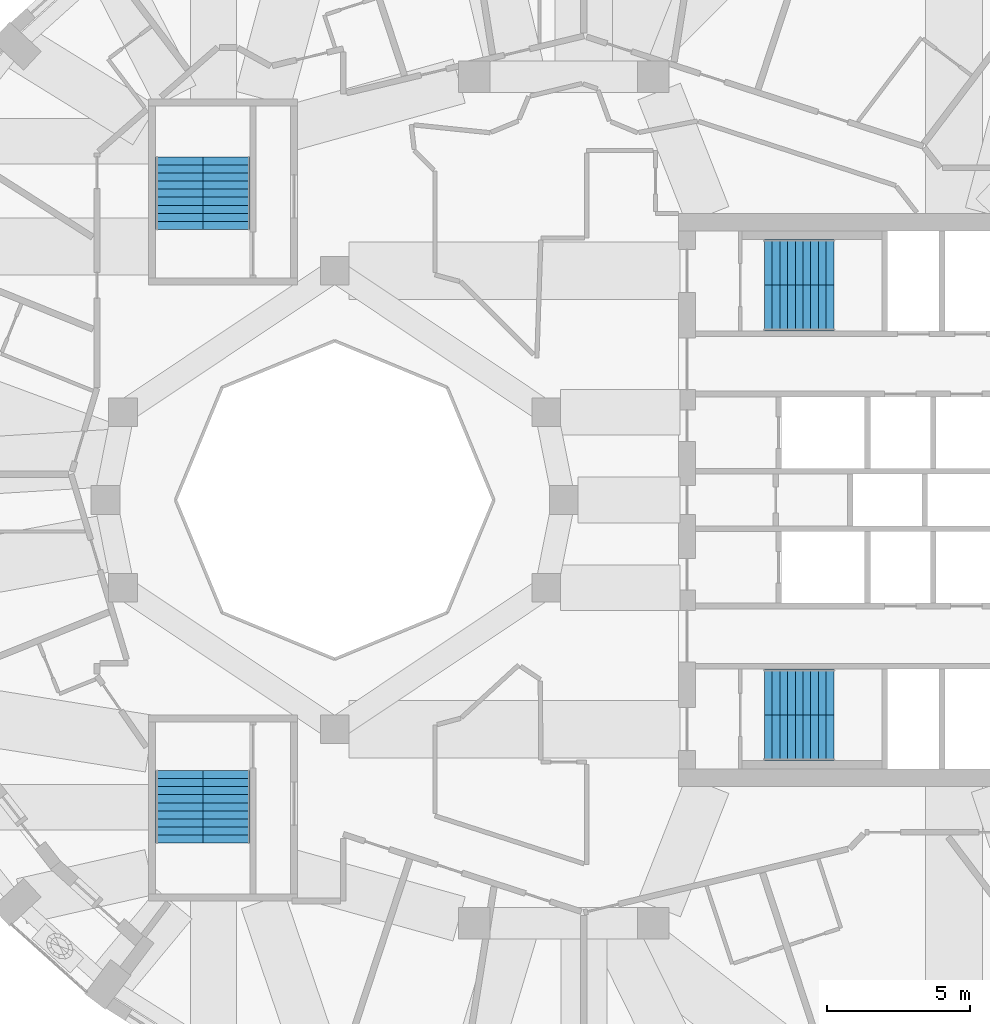
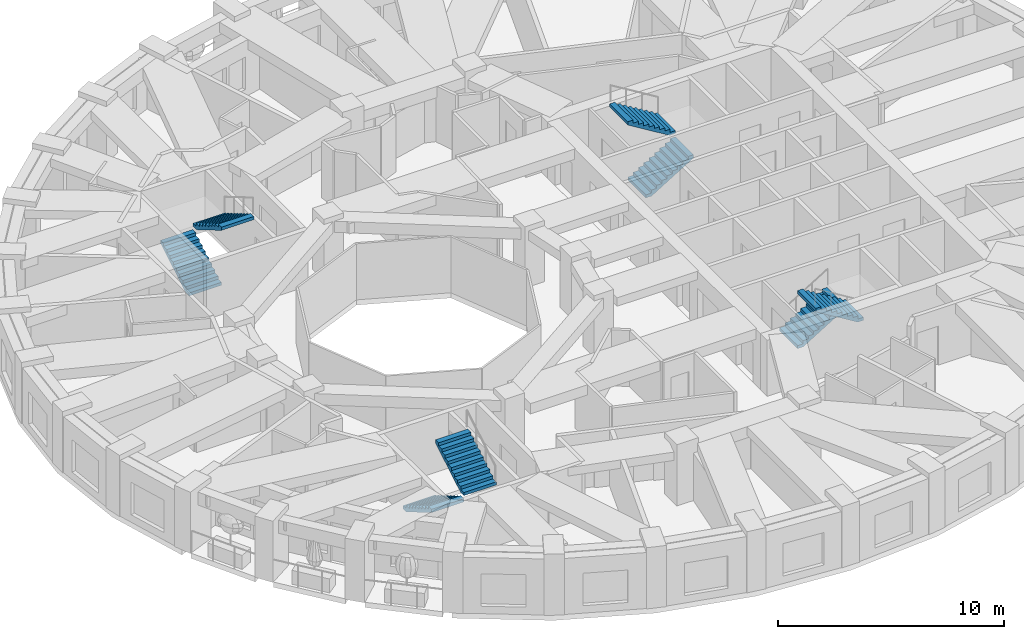
# One storey, part 9 of 12: 8 stair flights, 4 elements without a shape of their own.
"""IFC4 building model written with IfcOpenShell, lengths in metres."""

from ifc_helpers import new_model, si_unit, direction, frame, origin, place, context, subcontext, project, spatial, polyline, outline, extrude, material, type_object, element, aggregate, save


model = new_model("IFC4")

# Units and contexts
model_context = context("Model", 3, precision=1e-05, world=origin(), true_north=direction((0.0, 1.0)))
body_context = subcontext(model_context, "Body", "Model", "MODEL_VIEW")
ifc_project = project(units=[si_unit("LENGTHUNIT", "METRE"), si_unit("AREAUNIT", "SQUARE_METRE"), si_unit("VOLUMEUNIT", "CUBIC_METRE"), si_unit("PLANEANGLEUNIT", "RADIAN"), si_unit("MASSUNIT", "GRAM", prefix="KILO")], contexts=[model_context])

# Site, building, storey
site_placement = place(None, origin())
site = spatial("IfcSite", under=ifc_project, at=site_placement, CompositionType="ELEMENT")
building_placement = place(site_placement, origin())
building = spatial("IfcBuilding", under=site, at=building_placement, Name="Taillehof Tower", CompositionType="ELEMENT")
storey_placement = place(building_placement, frame((0.0, 0.0, 218.89990234375)))
storey = spatial("IfcBuildingStorey", under=building, at=storey_placement, Name="L62", CompositionType="ELEMENT", Elevation=218.89990234375)

# Stair, stair flights
ifc_material_1 = material(Name="Concrete C40/50", Category="concrete")
stair_type = type_object("IfcStairType", Name="Exit stair half-turn", PredefinedType="HALF_TURN_STAIR", material=ifc_material_1)
stair_1_placement = place(storey_placement, origin())
stair_1 = element("IfcStair", 1, at=stair_1_placement, inside=storey, type_object=stair_type, Name="Exit stair S1", PredefinedType="HALF_TURN_STAIR")
ifc_material_2 = material(Name="Concrete C40/50", Category="concrete")
stair_flight_type_1 = type_object("IfcStairFlightType", Name="Stair flight 1600 riser 165.0 going 270", PredefinedType="STRAIGHT", material=ifc_material_2)
stair_flight_1_placement = place(storey_placement, frame((7.0, 6.699951171875, 0.0), z_axis=(0.0, 0.0, 1.0), x_axis=(1.0, 0.0, 0.0)))
stair_flight_1 = element("IfcStairFlight", 2, at=stair_flight_1_placement, type_object=stair_flight_type_1, Name="S1 flight 1", NumberOfRisers=10, NumberOfTreads=9, PredefinedType="STRAIGHT", RiserHeight=0.165, TreadLength=0.27, context=body_context, shape_type="SweptSolid", body=[
    extrude(outline(polyline([(0.0, 0.0), (0.0, 0.00537109375), (0.0, 0.0107421875), (0.0, 0.015869140625), (0.0, 0.021240234375), (0.0, 0.026611328125), (0.0, 0.031982421875), (0.0, 0.037353515625), (0.0, 0.04248046875), (0.0, 0.0478515625), (0.0, 0.05322265625), (0.0, 0.05859375), (0.0, 0.06396484375), (0.0, 0.069091796875), (0.0, 0.074462890625), (0.0, 0.079833984375), (0.0, 0.085205078125), (0.0, 0.090576171875), (0.0, 0.095703125), (0.0, 0.10107421875), (0.0, 0.1064453125), (0.0, 0.11181640625), (0.0, 0.1171875), (0.0, 0.122314453125), (0.0, 0.127685546875), (0.0, 0.133056640625), (0.0, 0.138427734375), (0.0, 0.143798828125), (0.0, 0.14892578125), (0.0, 0.154296875), (0.0, 0.15966796875), (0.0, 0.1650390625), (0.27001953125, 0.1650390625), (0.27001953125, 0.330078125), (0.5400390625, 0.330078125), (0.5400390625, 0.4951171875), (0.81005859375, 0.4951171875), (0.81005859375, 0.659912109375), (1.080078125, 0.659912109375), (1.080078125, 0.824951171875), (1.35009765625, 0.824951171875), (1.35009765625, 0.989990234375), (1.6201171875, 0.989990234375), (1.6201171875, 1.155029296875), (1.889892578125, 1.155029296875), (1.889892578125, 1.320068359375), (2.159912109375, 1.320068359375), (2.159912109375, 1.485107421875), (2.429931640625, 1.485107421875), (2.429931640625, 1.479248046875), (2.429931640625, 1.4736328125), (2.429931640625, 1.468017578125), (2.429931640625, 1.46240234375), (2.429931640625, 1.45654296875), (2.429931640625, 1.450927734375), (2.429931640625, 1.4453125), (2.429931640625, 1.439697265625), (2.429931640625, 1.43408203125), (2.429931640625, 1.42822265625), (2.429931640625, 1.422607421875), (2.429931640625, 1.4169921875), (2.429931640625, 1.411376953125), (2.429931640625, 1.40576171875), (2.429931640625, 1.39990234375), (2.429931640625, 1.394287109375), (2.429931640625, 1.388671875), (2.429931640625, 1.383056640625), (2.429931640625, 1.37744140625), (2.429931640625, 1.37158203125), (2.429931640625, 1.365966796875), (2.429931640625, 1.3603515625), (2.429931640625, 1.354736328125), (2.429931640625, 1.348876953125), (2.429931640625, 1.34326171875), (2.429931640625, 1.337646484375), (2.429931640625, 1.33203125), (2.429931640625, 1.326416015625), (2.429931640625, 1.320556640625), (2.429931640625, 1.31494140625), (2.429931640625, 1.309326171875), (0.287353515625, 0.0), (0.0, 0.0)])), frame((0.0, 0.800048828125, 0.0), z_axis=(0.0, -1.0, 0.0), x_axis=(1.0, 0.0, 0.0)), (0.0, 0.0, 1.0), 1.6),
])
stair_flight_2_placement = place(storey_placement, frame((9.429931640625, 8.300048828125, 1.650146484375), z_axis=(0.0, 0.0, 1.0), x_axis=(-1.0, 0.0, 0.0)))
stair_flight_2 = element("IfcStairFlight", 3, at=stair_flight_2_placement, type_object=stair_flight_type_1, Name="S1 flight 2", NumberOfRisers=10, NumberOfTreads=9, PredefinedType="STRAIGHT", RiserHeight=0.165, TreadLength=0.27, context=body_context, shape_type="SweptSolid", body=[
    extrude(outline(polyline([(0.0, 0.0), (0.0, 0.00537109375), (0.0, 0.0107421875), (0.0, 0.015869140625), (0.0, 0.021240234375), (0.0, 0.026611328125), (0.0, 0.031982421875), (0.0, 0.037353515625), (0.0, 0.04248046875), (0.0, 0.0478515625), (0.0, 0.05322265625), (0.0, 0.05859375), (0.0, 0.06396484375), (0.0, 0.069091796875), (0.0, 0.074462890625), (0.0, 0.079833984375), (0.0, 0.085205078125), (0.0, 0.090576171875), (0.0, 0.095703125), (0.0, 0.10107421875), (0.0, 0.1064453125), (0.0, 0.11181640625), (0.0, 0.1171875), (0.0, 0.122314453125), (0.0, 0.127685546875), (0.0, 0.133056640625), (0.0, 0.138427734375), (0.0, 0.143798828125), (0.0, 0.14892578125), (0.0, 0.154296875), (0.0, 0.15966796875), (0.0, 0.1650390625), (0.27001953125, 0.1650390625), (0.27001953125, 0.330078125), (0.5400390625, 0.330078125), (0.5400390625, 0.4951171875), (0.81005859375, 0.4951171875), (0.81005859375, 0.659912109375), (1.080078125, 0.659912109375), (1.080078125, 0.824951171875), (1.35009765625, 0.824951171875), (1.35009765625, 0.989990234375), (1.6201171875, 0.989990234375), (1.6201171875, 1.155029296875), (1.889892578125, 1.155029296875), (1.889892578125, 1.320068359375), (2.159912109375, 1.320068359375), (2.159912109375, 1.485107421875), (2.429931640625, 1.485107421875), (2.429931640625, 1.479248046875), (2.429931640625, 1.4736328125), (2.429931640625, 1.468017578125), (2.429931640625, 1.46240234375), (2.429931640625, 1.45654296875), (2.429931640625, 1.450927734375), (2.429931640625, 1.4453125), (2.429931640625, 1.439697265625), (2.429931640625, 1.43408203125), (2.429931640625, 1.42822265625), (2.429931640625, 1.422607421875), (2.429931640625, 1.4169921875), (2.429931640625, 1.411376953125), (2.429931640625, 1.40576171875), (2.429931640625, 1.39990234375), (2.429931640625, 1.394287109375), (2.429931640625, 1.388671875), (2.429931640625, 1.383056640625), (2.429931640625, 1.37744140625), (2.429931640625, 1.37158203125), (2.429931640625, 1.365966796875), (2.429931640625, 1.3603515625), (2.429931640625, 1.354736328125), (2.429931640625, 1.348876953125), (2.429931640625, 1.34326171875), (2.429931640625, 1.337646484375), (2.429931640625, 1.33203125), (2.429931640625, 1.326416015625), (2.429931640625, 1.320556640625), (2.429931640625, 1.31494140625), (2.429931640625, 1.309326171875), (0.287353515625, 0.0), (0.0, 0.0)])), frame((0.0, 0.800048828125, 0.0), z_axis=(0.0, -1.0, 0.0), x_axis=(1.0, 0.0, 0.0)), (0.0, 0.0, 1.0), 1.6),
])
aggregate(stair_1, [stair_flight_1, stair_flight_2])

stair_2_placement = place(storey_placement, origin())
stair_2 = element("IfcStair", 4, at=stair_2_placement, inside=storey, type_object=stair_type, Name="Exit stair S2", PredefinedType="HALF_TURN_STAIR")
stair_flight_3_placement = place(storey_placement, frame((7.0, -6.699951171875, 0.0), z_axis=(0.0, 0.0, 1.0), x_axis=(1.0, 0.0, 0.0)))
stair_flight_3 = element("IfcStairFlight", 5, at=stair_flight_3_placement, type_object=stair_flight_type_1, Name="S2 flight 1", NumberOfRisers=10, NumberOfTreads=9, PredefinedType="STRAIGHT", RiserHeight=0.165, TreadLength=0.27, context=body_context, shape_type="SweptSolid", body=[
    extrude(outline(polyline([(0.0, 0.0), (0.0, 0.00537109375), (0.0, 0.0107421875), (0.0, 0.015869140625), (0.0, 0.021240234375), (0.0, 0.026611328125), (0.0, 0.031982421875), (0.0, 0.037353515625), (0.0, 0.04248046875), (0.0, 0.0478515625), (0.0, 0.05322265625), (0.0, 0.05859375), (0.0, 0.06396484375), (0.0, 0.069091796875), (0.0, 0.074462890625), (0.0, 0.079833984375), (0.0, 0.085205078125), (0.0, 0.090576171875), (0.0, 0.095703125), (0.0, 0.10107421875), (0.0, 0.1064453125), (0.0, 0.11181640625), (0.0, 0.1171875), (0.0, 0.122314453125), (0.0, 0.127685546875), (0.0, 0.133056640625), (0.0, 0.138427734375), (0.0, 0.143798828125), (0.0, 0.14892578125), (0.0, 0.154296875), (0.0, 0.15966796875), (0.0, 0.1650390625), (0.27001953125, 0.1650390625), (0.27001953125, 0.330078125), (0.5400390625, 0.330078125), (0.5400390625, 0.4951171875), (0.81005859375, 0.4951171875), (0.81005859375, 0.659912109375), (1.080078125, 0.659912109375), (1.080078125, 0.824951171875), (1.35009765625, 0.824951171875), (1.35009765625, 0.989990234375), (1.6201171875, 0.989990234375), (1.6201171875, 1.155029296875), (1.889892578125, 1.155029296875), (1.889892578125, 1.320068359375), (2.159912109375, 1.320068359375), (2.159912109375, 1.485107421875), (2.429931640625, 1.485107421875), (2.429931640625, 1.479248046875), (2.429931640625, 1.4736328125), (2.429931640625, 1.468017578125), (2.429931640625, 1.46240234375), (2.429931640625, 1.45654296875), (2.429931640625, 1.450927734375), (2.429931640625, 1.4453125), (2.429931640625, 1.439697265625), (2.429931640625, 1.43408203125), (2.429931640625, 1.42822265625), (2.429931640625, 1.422607421875), (2.429931640625, 1.4169921875), (2.429931640625, 1.411376953125), (2.429931640625, 1.40576171875), (2.429931640625, 1.39990234375), (2.429931640625, 1.394287109375), (2.429931640625, 1.388671875), (2.429931640625, 1.383056640625), (2.429931640625, 1.37744140625), (2.429931640625, 1.37158203125), (2.429931640625, 1.365966796875), (2.429931640625, 1.3603515625), (2.429931640625, 1.354736328125), (2.429931640625, 1.348876953125), (2.429931640625, 1.34326171875), (2.429931640625, 1.337646484375), (2.429931640625, 1.33203125), (2.429931640625, 1.326416015625), (2.429931640625, 1.320556640625), (2.429931640625, 1.31494140625), (2.429931640625, 1.309326171875), (0.287353515625, 0.0), (0.0, 0.0)])), frame((0.0, 0.800048828125, 0.0), z_axis=(0.0, -1.0, 0.0), x_axis=(1.0, 0.0, 0.0)), (0.0, 0.0, 1.0), 1.6),
])
stair_flight_4_placement = place(storey_placement, frame((9.429931640625, -8.300048828125, 1.650146484375), z_axis=(0.0, 0.0, 1.0), x_axis=(-1.0, 0.0, 0.0)))
stair_flight_4 = element("IfcStairFlight", 6, at=stair_flight_4_placement, type_object=stair_flight_type_1, Name="S2 flight 2", NumberOfRisers=10, NumberOfTreads=9, PredefinedType="STRAIGHT", RiserHeight=0.165, TreadLength=0.27, context=body_context, shape_type="SweptSolid", body=[
    extrude(outline(polyline([(0.0, 0.0), (0.0, 0.00537109375), (0.0, 0.0107421875), (0.0, 0.015869140625), (0.0, 0.021240234375), (0.0, 0.026611328125), (0.0, 0.031982421875), (0.0, 0.037353515625), (0.0, 0.04248046875), (0.0, 0.0478515625), (0.0, 0.05322265625), (0.0, 0.05859375), (0.0, 0.06396484375), (0.0, 0.069091796875), (0.0, 0.074462890625), (0.0, 0.079833984375), (0.0, 0.085205078125), (0.0, 0.090576171875), (0.0, 0.095703125), (0.0, 0.10107421875), (0.0, 0.1064453125), (0.0, 0.11181640625), (0.0, 0.1171875), (0.0, 0.122314453125), (0.0, 0.127685546875), (0.0, 0.133056640625), (0.0, 0.138427734375), (0.0, 0.143798828125), (0.0, 0.14892578125), (0.0, 0.154296875), (0.0, 0.15966796875), (0.0, 0.1650390625), (0.27001953125, 0.1650390625), (0.27001953125, 0.330078125), (0.5400390625, 0.330078125), (0.5400390625, 0.4951171875), (0.81005859375, 0.4951171875), (0.81005859375, 0.659912109375), (1.080078125, 0.659912109375), (1.080078125, 0.824951171875), (1.35009765625, 0.824951171875), (1.35009765625, 0.989990234375), (1.6201171875, 0.989990234375), (1.6201171875, 1.155029296875), (1.889892578125, 1.155029296875), (1.889892578125, 1.320068359375), (2.159912109375, 1.320068359375), (2.159912109375, 1.485107421875), (2.429931640625, 1.485107421875), (2.429931640625, 1.479248046875), (2.429931640625, 1.4736328125), (2.429931640625, 1.468017578125), (2.429931640625, 1.46240234375), (2.429931640625, 1.45654296875), (2.429931640625, 1.450927734375), (2.429931640625, 1.4453125), (2.429931640625, 1.439697265625), (2.429931640625, 1.43408203125), (2.429931640625, 1.42822265625), (2.429931640625, 1.422607421875), (2.429931640625, 1.4169921875), (2.429931640625, 1.411376953125), (2.429931640625, 1.40576171875), (2.429931640625, 1.39990234375), (2.429931640625, 1.394287109375), (2.429931640625, 1.388671875), (2.429931640625, 1.383056640625), (2.429931640625, 1.37744140625), (2.429931640625, 1.37158203125), (2.429931640625, 1.365966796875), (2.429931640625, 1.3603515625), (2.429931640625, 1.354736328125), (2.429931640625, 1.348876953125), (2.429931640625, 1.34326171875), (2.429931640625, 1.337646484375), (2.429931640625, 1.33203125), (2.429931640625, 1.326416015625), (2.429931640625, 1.320556640625), (2.429931640625, 1.31494140625), (2.429931640625, 1.309326171875), (0.287353515625, 0.0), (0.0, 0.0)])), frame((0.0, 0.800048828125, 0.0), z_axis=(0.0, -1.0, 0.0), x_axis=(1.0, 0.0, 0.0)), (0.0, 0.0, 1.0), 1.6),
])
aggregate(stair_2, [stair_flight_3, stair_flight_4])

stair_3_placement = place(storey_placement, origin())
stair_3 = element("IfcStair", 7, at=stair_3_placement, inside=storey, type_object=stair_type, Name="Exit stair S3", PredefinedType="HALF_TURN_STAIR")
ifc_material_3 = material(Name="Concrete C40/50", Category="concrete")
stair_flight_type_2 = type_object("IfcStairFlightType", Name="Stair flight 1650 riser 165.0 going 280", PredefinedType="STRAIGHT", material=ifc_material_3)
stair_flight_5_placement = place(storey_placement, frame((-13.425048828125, 9.449951171875, 0.0), z_axis=(0.0, 0.0, 1.0), x_axis=(0.0, 1.0, 0.0)))
stair_flight_5 = element("IfcStairFlight", 8, at=stair_flight_5_placement, type_object=stair_flight_type_2, Name="S3 flight 1", NumberOfRisers=10, NumberOfTreads=9, PredefinedType="STRAIGHT", RiserHeight=0.165, TreadLength=0.28, context=body_context, shape_type="SweptSolid", body=[
    extrude(outline(polyline([(0.0, 0.0), (0.0, 0.00537109375), (0.0, 0.0107421875), (0.0, 0.015869140625), (0.0, 0.021240234375), (0.0, 0.026611328125), (0.0, 0.031982421875), (0.0, 0.037353515625), (0.0, 0.04248046875), (0.0, 0.0478515625), (0.0, 0.05322265625), (0.0, 0.05859375), (0.0, 0.06396484375), (0.0, 0.069091796875), (0.0, 0.074462890625), (0.0, 0.079833984375), (0.0, 0.085205078125), (0.0, 0.090576171875), (0.0, 0.095703125), (0.0, 0.10107421875), (0.0, 0.1064453125), (0.0, 0.11181640625), (0.0, 0.1171875), (0.0, 0.122314453125), (0.0, 0.127685546875), (0.0, 0.133056640625), (0.0, 0.138427734375), (0.0, 0.143798828125), (0.0, 0.14892578125), (0.0, 0.154296875), (0.0, 0.15966796875), (0.0, 0.1650390625), (0.280029296875, 0.1650390625), (0.280029296875, 0.330078125), (0.56005859375, 0.330078125), (0.56005859375, 0.4951171875), (0.840087890625, 0.4951171875), (0.840087890625, 0.659912109375), (1.1201171875, 0.659912109375), (1.1201171875, 0.824951171875), (1.39990234375, 0.824951171875), (1.39990234375, 0.989990234375), (1.679931640625, 0.989990234375), (1.679931640625, 1.155029296875), (1.9599609375, 1.155029296875), (1.9599609375, 1.320068359375), (2.239990234375, 1.320068359375), (2.239990234375, 1.485107421875), (2.52001953125, 1.485107421875), (2.52001953125, 1.4794921875), (2.52001953125, 1.473876953125), (2.52001953125, 1.46826171875), (2.52001953125, 1.462646484375), (2.52001953125, 1.45703125), (2.52001953125, 1.451416015625), (2.52001953125, 1.44580078125), (2.52001953125, 1.440185546875), (2.52001953125, 1.4345703125), (2.52001953125, 1.428955078125), (2.52001953125, 1.42333984375), (2.52001953125, 1.417724609375), (2.52001953125, 1.412109375), (2.52001953125, 1.406494140625), (2.52001953125, 1.40087890625), (2.52001953125, 1.395263671875), (2.52001953125, 1.3896484375), (2.52001953125, 1.384033203125), (2.52001953125, 1.37841796875), (2.52001953125, 1.372802734375), (2.52001953125, 1.3671875), (2.52001953125, 1.361572265625), (2.52001953125, 1.35595703125), (2.52001953125, 1.350341796875), (2.52001953125, 1.3447265625), (2.52001953125, 1.339111328125), (2.52001953125, 1.33349609375), (2.52001953125, 1.327880859375), (2.52001953125, 1.322265625), (2.52001953125, 1.316650390625), (2.52001953125, 1.31103515625), (0.295166015625, 0.0), (0.0, 0.0)])), frame((0.0, 0.824951171875, 0.0), z_axis=(0.0, -1.0, 0.0), x_axis=(1.0, 0.0, 0.0)), (0.0, 0.0, 1.0), 1.65),
])
stair_flight_6_placement = place(storey_placement, frame((-11.77490234375, 11.969970703125, 1.650146484375), z_axis=(0.0, 0.0, 1.0), x_axis=(0.0, -1.0, 0.0)))
stair_flight_6 = element("IfcStairFlight", 9, at=stair_flight_6_placement, type_object=stair_flight_type_2, Name="S3 flight 2", NumberOfRisers=10, NumberOfTreads=9, PredefinedType="STRAIGHT", RiserHeight=0.165, TreadLength=0.28, context=body_context, shape_type="SweptSolid", body=[
    extrude(outline(polyline([(0.0, 0.0), (0.0, 0.00537109375), (0.0, 0.0107421875), (0.0, 0.015869140625), (0.0, 0.021240234375), (0.0, 0.026611328125), (0.0, 0.031982421875), (0.0, 0.037353515625), (0.0, 0.04248046875), (0.0, 0.0478515625), (0.0, 0.05322265625), (0.0, 0.05859375), (0.0, 0.06396484375), (0.0, 0.069091796875), (0.0, 0.074462890625), (0.0, 0.079833984375), (0.0, 0.085205078125), (0.0, 0.090576171875), (0.0, 0.095703125), (0.0, 0.10107421875), (0.0, 0.1064453125), (0.0, 0.11181640625), (0.0, 0.1171875), (0.0, 0.122314453125), (0.0, 0.127685546875), (0.0, 0.133056640625), (0.0, 0.138427734375), (0.0, 0.143798828125), (0.0, 0.14892578125), (0.0, 0.154296875), (0.0, 0.15966796875), (0.0, 0.1650390625), (0.280029296875, 0.1650390625), (0.280029296875, 0.330078125), (0.56005859375, 0.330078125), (0.56005859375, 0.4951171875), (0.840087890625, 0.4951171875), (0.840087890625, 0.659912109375), (1.1201171875, 0.659912109375), (1.1201171875, 0.824951171875), (1.39990234375, 0.824951171875), (1.39990234375, 0.989990234375), (1.679931640625, 0.989990234375), (1.679931640625, 1.155029296875), (1.9599609375, 1.155029296875), (1.9599609375, 1.320068359375), (2.239990234375, 1.320068359375), (2.239990234375, 1.485107421875), (2.52001953125, 1.485107421875), (2.52001953125, 1.4794921875), (2.52001953125, 1.473876953125), (2.52001953125, 1.46826171875), (2.52001953125, 1.462646484375), (2.52001953125, 1.45703125), (2.52001953125, 1.451416015625), (2.52001953125, 1.44580078125), (2.52001953125, 1.440185546875), (2.52001953125, 1.4345703125), (2.52001953125, 1.428955078125), (2.52001953125, 1.42333984375), (2.52001953125, 1.417724609375), (2.52001953125, 1.412109375), (2.52001953125, 1.406494140625), (2.52001953125, 1.40087890625), (2.52001953125, 1.395263671875), (2.52001953125, 1.3896484375), (2.52001953125, 1.384033203125), (2.52001953125, 1.37841796875), (2.52001953125, 1.372802734375), (2.52001953125, 1.3671875), (2.52001953125, 1.361572265625), (2.52001953125, 1.35595703125), (2.52001953125, 1.350341796875), (2.52001953125, 1.3447265625), (2.52001953125, 1.339111328125), (2.52001953125, 1.33349609375), (2.52001953125, 1.327880859375), (2.52001953125, 1.322265625), (2.52001953125, 1.316650390625), (2.52001953125, 1.31103515625), (0.295166015625, 0.0), (0.0, 0.0)])), frame((0.0, 0.824951171875, 0.0), z_axis=(0.0, -1.0, 0.0), x_axis=(1.0, 0.0, 0.0)), (0.0, 0.0, 1.0), 1.65),
])
aggregate(stair_3, [stair_flight_5, stair_flight_6])

stair_4_placement = place(storey_placement, origin())
stair_4 = element("IfcStair", 10, at=stair_4_placement, inside=storey, type_object=stair_type, Name="Exit stair S4", PredefinedType="HALF_TURN_STAIR")
stair_flight_7_placement = place(storey_placement, frame((-13.425048828125, -9.449951171875, 0.0), z_axis=(0.0, 0.0, 1.0), x_axis=(0.0, -1.0, 0.0)))
stair_flight_7 = element("IfcStairFlight", 11, at=stair_flight_7_placement, type_object=stair_flight_type_2, Name="S4 flight 1", NumberOfRisers=10, NumberOfTreads=9, PredefinedType="STRAIGHT", RiserHeight=0.165, TreadLength=0.28, context=body_context, shape_type="SweptSolid", body=[
    extrude(outline(polyline([(0.0, 0.0), (0.0, 0.00537109375), (0.0, 0.0107421875), (0.0, 0.015869140625), (0.0, 0.021240234375), (0.0, 0.026611328125), (0.0, 0.031982421875), (0.0, 0.037353515625), (0.0, 0.04248046875), (0.0, 0.0478515625), (0.0, 0.05322265625), (0.0, 0.05859375), (0.0, 0.06396484375), (0.0, 0.069091796875), (0.0, 0.074462890625), (0.0, 0.079833984375), (0.0, 0.085205078125), (0.0, 0.090576171875), (0.0, 0.095703125), (0.0, 0.10107421875), (0.0, 0.1064453125), (0.0, 0.11181640625), (0.0, 0.1171875), (0.0, 0.122314453125), (0.0, 0.127685546875), (0.0, 0.133056640625), (0.0, 0.138427734375), (0.0, 0.143798828125), (0.0, 0.14892578125), (0.0, 0.154296875), (0.0, 0.15966796875), (0.0, 0.1650390625), (0.280029296875, 0.1650390625), (0.280029296875, 0.330078125), (0.56005859375, 0.330078125), (0.56005859375, 0.4951171875), (0.840087890625, 0.4951171875), (0.840087890625, 0.659912109375), (1.1201171875, 0.659912109375), (1.1201171875, 0.824951171875), (1.39990234375, 0.824951171875), (1.39990234375, 0.989990234375), (1.679931640625, 0.989990234375), (1.679931640625, 1.155029296875), (1.9599609375, 1.155029296875), (1.9599609375, 1.320068359375), (2.239990234375, 1.320068359375), (2.239990234375, 1.485107421875), (2.52001953125, 1.485107421875), (2.52001953125, 1.4794921875), (2.52001953125, 1.473876953125), (2.52001953125, 1.46826171875), (2.52001953125, 1.462646484375), (2.52001953125, 1.45703125), (2.52001953125, 1.451416015625), (2.52001953125, 1.44580078125), (2.52001953125, 1.440185546875), (2.52001953125, 1.4345703125), (2.52001953125, 1.428955078125), (2.52001953125, 1.42333984375), (2.52001953125, 1.417724609375), (2.52001953125, 1.412109375), (2.52001953125, 1.406494140625), (2.52001953125, 1.40087890625), (2.52001953125, 1.395263671875), (2.52001953125, 1.3896484375), (2.52001953125, 1.384033203125), (2.52001953125, 1.37841796875), (2.52001953125, 1.372802734375), (2.52001953125, 1.3671875), (2.52001953125, 1.361572265625), (2.52001953125, 1.35595703125), (2.52001953125, 1.350341796875), (2.52001953125, 1.3447265625), (2.52001953125, 1.339111328125), (2.52001953125, 1.33349609375), (2.52001953125, 1.327880859375), (2.52001953125, 1.322265625), (2.52001953125, 1.316650390625), (2.52001953125, 1.31103515625), (0.295166015625, 0.0), (0.0, 0.0)])), frame((0.0, 0.824951171875, 0.0), z_axis=(0.0, -1.0, 0.0), x_axis=(1.0, 0.0, 0.0)), (0.0, 0.0, 1.0), 1.65),
])
stair_flight_8_placement = place(storey_placement, frame((-11.77490234375, -11.969970703125, 1.650146484375), z_axis=(0.0, 0.0, 1.0), x_axis=(0.0, 1.0, 0.0)))
stair_flight_8 = element("IfcStairFlight", 12, at=stair_flight_8_placement, type_object=stair_flight_type_2, Name="S4 flight 2", NumberOfRisers=10, NumberOfTreads=9, PredefinedType="STRAIGHT", RiserHeight=0.165, TreadLength=0.28, context=body_context, shape_type="SweptSolid", body=[
    extrude(outline(polyline([(0.0, 0.0), (0.0, 0.00537109375), (0.0, 0.0107421875), (0.0, 0.015869140625), (0.0, 0.021240234375), (0.0, 0.026611328125), (0.0, 0.031982421875), (0.0, 0.037353515625), (0.0, 0.04248046875), (0.0, 0.0478515625), (0.0, 0.05322265625), (0.0, 0.05859375), (0.0, 0.06396484375), (0.0, 0.069091796875), (0.0, 0.074462890625), (0.0, 0.079833984375), (0.0, 0.085205078125), (0.0, 0.090576171875), (0.0, 0.095703125), (0.0, 0.10107421875), (0.0, 0.1064453125), (0.0, 0.11181640625), (0.0, 0.1171875), (0.0, 0.122314453125), (0.0, 0.127685546875), (0.0, 0.133056640625), (0.0, 0.138427734375), (0.0, 0.143798828125), (0.0, 0.14892578125), (0.0, 0.154296875), (0.0, 0.15966796875), (0.0, 0.1650390625), (0.280029296875, 0.1650390625), (0.280029296875, 0.330078125), (0.56005859375, 0.330078125), (0.56005859375, 0.4951171875), (0.840087890625, 0.4951171875), (0.840087890625, 0.659912109375), (1.1201171875, 0.659912109375), (1.1201171875, 0.824951171875), (1.39990234375, 0.824951171875), (1.39990234375, 0.989990234375), (1.679931640625, 0.989990234375), (1.679931640625, 1.155029296875), (1.9599609375, 1.155029296875), (1.9599609375, 1.320068359375), (2.239990234375, 1.320068359375), (2.239990234375, 1.485107421875), (2.52001953125, 1.485107421875), (2.52001953125, 1.4794921875), (2.52001953125, 1.473876953125), (2.52001953125, 1.46826171875), (2.52001953125, 1.462646484375), (2.52001953125, 1.45703125), (2.52001953125, 1.451416015625), (2.52001953125, 1.44580078125), (2.52001953125, 1.440185546875), (2.52001953125, 1.4345703125), (2.52001953125, 1.428955078125), (2.52001953125, 1.42333984375), (2.52001953125, 1.417724609375), (2.52001953125, 1.412109375), (2.52001953125, 1.406494140625), (2.52001953125, 1.40087890625), (2.52001953125, 1.395263671875), (2.52001953125, 1.3896484375), (2.52001953125, 1.384033203125), (2.52001953125, 1.37841796875), (2.52001953125, 1.372802734375), (2.52001953125, 1.3671875), (2.52001953125, 1.361572265625), (2.52001953125, 1.35595703125), (2.52001953125, 1.350341796875), (2.52001953125, 1.3447265625), (2.52001953125, 1.339111328125), (2.52001953125, 1.33349609375), (2.52001953125, 1.327880859375), (2.52001953125, 1.322265625), (2.52001953125, 1.316650390625), (2.52001953125, 1.31103515625), (0.295166015625, 0.0), (0.0, 0.0)])), frame((0.0, 0.824951171875, 0.0), z_axis=(0.0, -1.0, 0.0), x_axis=(1.0, 0.0, 0.0)), (0.0, 0.0, 1.0), 1.65),
])
aggregate(stair_4, [stair_flight_7, stair_flight_8])

save(model, "model.ifc")
